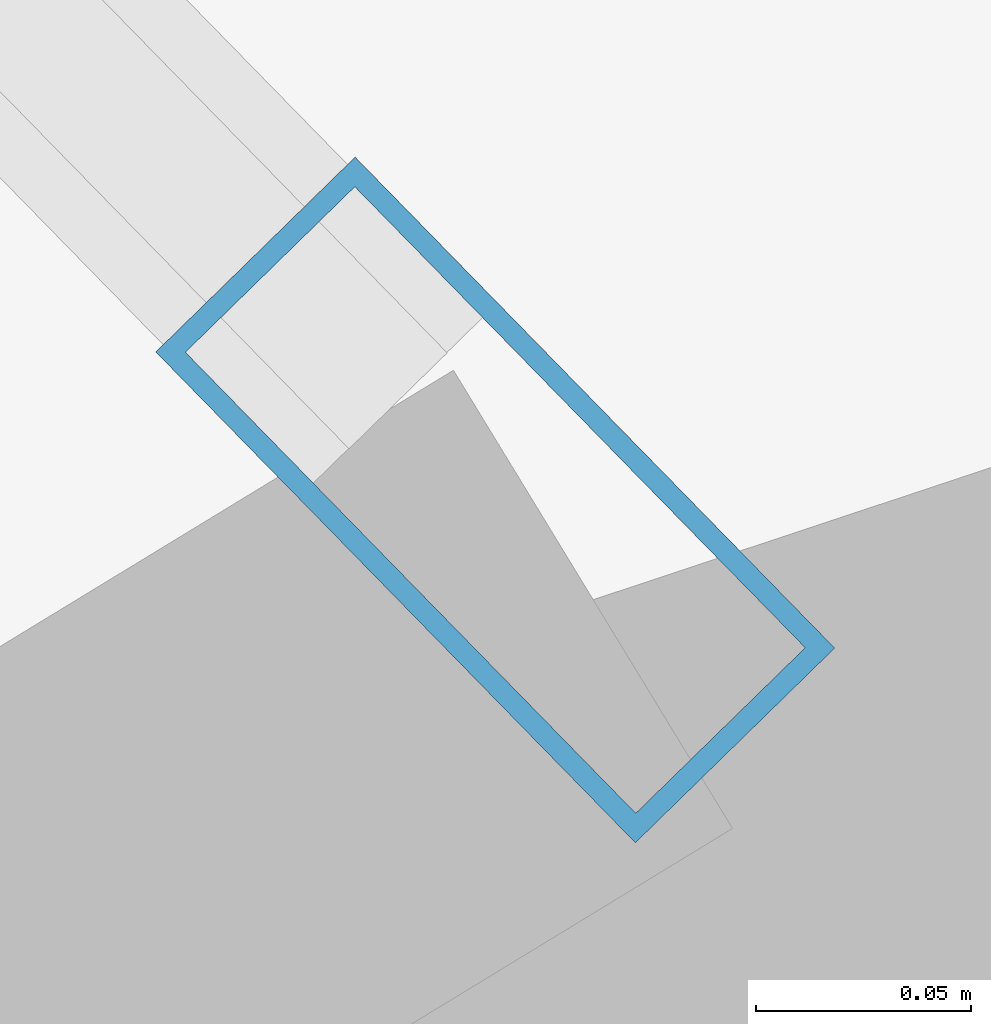
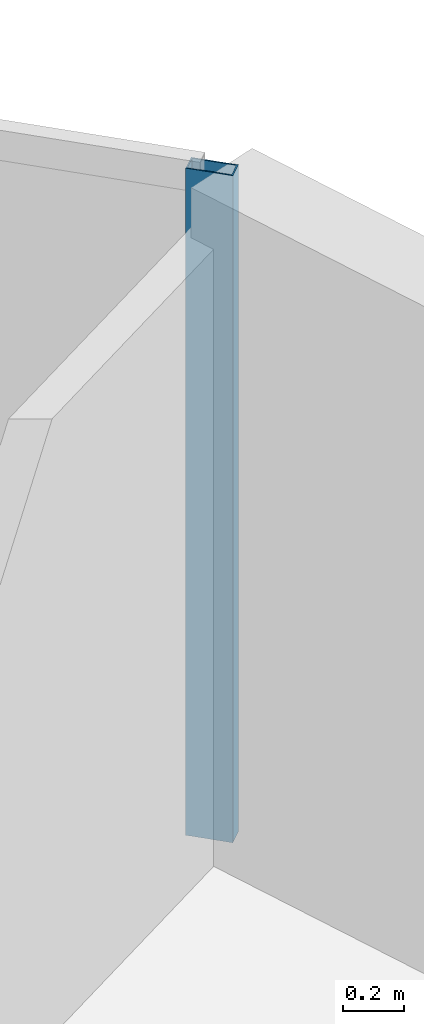
# One storey, part 6 of 15: 1 member, 1 element without a shape of its own.
"""IFC4 building model written with IfcOpenShell, lengths in metres."""

from ifc_helpers import new_model, si_unit, direction, frame, origin, origin_2d, place, context, subcontext, project, spatial, hollow_rectangle, extrude, material, layer, layer_set, material_profile, profile_set, type_object, element, aggregate, save


model = new_model("IFC4")

# Units and contexts
model_context = context("Model", 3, precision=1e-05, world=origin(), true_north=direction((0.0, 1.0)))
body_context = subcontext(model_context, "Body", "Model", "MODEL_VIEW")
ifc_project = project(units=[si_unit("LENGTHUNIT", "METRE"), si_unit("AREAUNIT", "SQUARE_METRE"), si_unit("VOLUMEUNIT", "CUBIC_METRE"), si_unit("PLANEANGLEUNIT", "RADIAN"), si_unit("MASSUNIT", "GRAM", prefix="KILO"), si_unit("THERMODYNAMICTEMPERATUREUNIT", "KELVIN"), si_unit("POWERUNIT", "WATT")], contexts=[model_context])

# Site, building, storey
site_placement = place(None, origin())
site = spatial("IfcSite", under=ifc_project, at=site_placement, CompositionType="ELEMENT")
building_placement = place(site_placement, origin())
building = spatial("IfcBuilding", under=site, at=building_placement, Name="Ocrelia Relay Tower", CompositionType="ELEMENT")
storey_placement = place(building_placement, frame((0.0, 0.0, 166.39990234375)))
storey = spatial("IfcBuildingStorey", under=building, at=storey_placement, Name="L39", CompositionType="ELEMENT", Elevation=166.39990234375)

# Curtain wall, member
ifc_material_1 = material(Name="Aluminium and solar-control low-E glass", Category="aluminium")
ifc_layer = layer(ifc_material_1, 0.179931640625, Name="Aluminium and solar-control low-E glass")
ifc_layer_set = layer_set([ifc_layer], Name="Aluminium and solar-control low-E glass")
curtain_wall_type = type_object("IfcCurtainWallType", Name="CW-SYS-Z3-CLOU", PredefinedType="NOTDEFINED", material=ifc_layer_set)
curtain_wall_placement = place(storey_placement, origin())
curtain_wall = element("IfcCurtainWall", 1, at=curtain_wall_placement, inside=storey, type_object=curtain_wall_type, Name="L39 Elliptical Tower Curtain Wall Bay 01", PredefinedType="NOTDEFINED")
ifc_material_2 = material(Name="Anodised bronze aluminium", Category="aluminium")
ifc_material_profile = material_profile(ifc_material_2, hollow_rectangle(XDim=0.06494140625, YDim=0.159912109375, WallThickness=0.0048828125, at=origin_2d()), Name="CW-MUL-160x65")
ifc_profile_set = profile_set([ifc_material_profile], Name="Anodised bronze aluminium")
member_type = type_object("IfcMemberType", Name="CW-SYS-Z3-CLOU-MUL", PredefinedType="MULLION", material=ifc_profile_set)
member_placement = place(storey_placement, frame((53.9609375, 38.197509765625, 0.0), z_axis=(0.0, 0.0, 1.0), x_axis=(-0.715327145451, -0.698789721576, 0.0)))
member = element("IfcMember", 2, at=member_placement, type_object=member_type, Name="CW-Z3 mullion 1", PredefinedType="MULLION", context=body_context, shape_type="SweptSolid", body=[
    extrude(hollow_rectangle(XDim=0.06494140625, YDim=0.159912109375, WallThickness=0.0048828125, at=origin_2d()), origin(), (0.0, 0.0, 1.0), 2.66015625),
])
aggregate(curtain_wall, [member])

save(model, "model.ifc")
